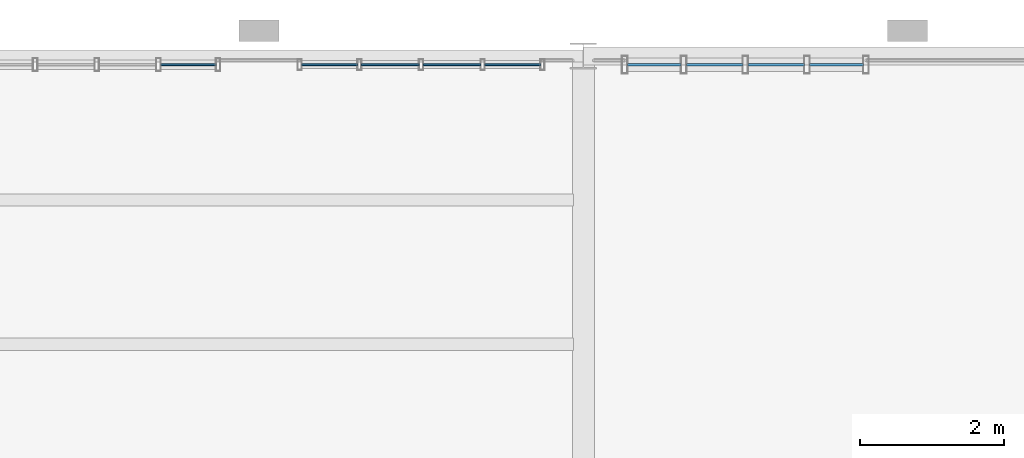
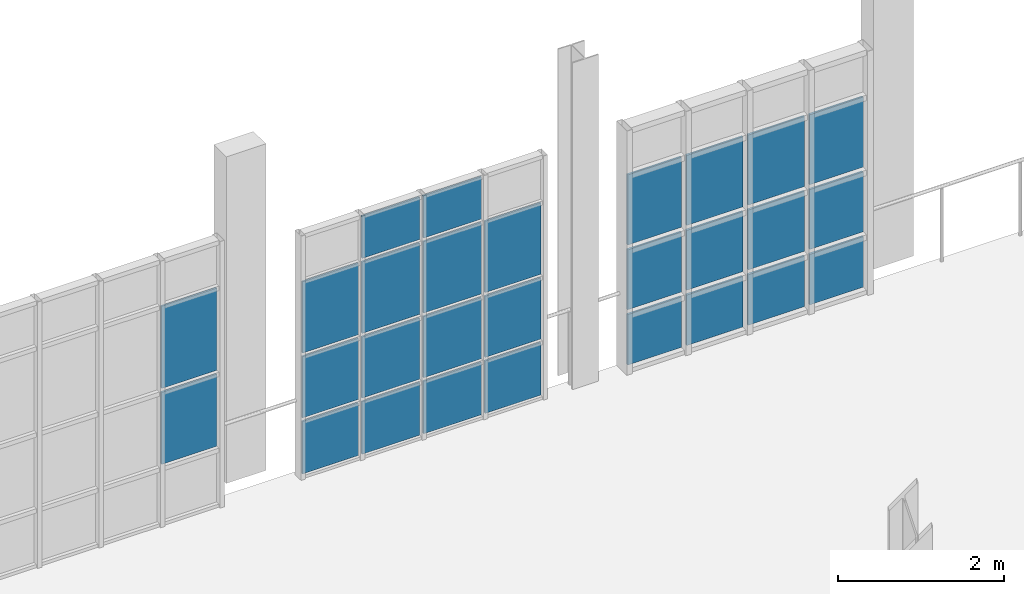
# One storey, part 98 of 118: 28 plates, 3 elements without a shape of their own.
"""IFC4 building model written with IfcOpenShell, lengths in metres."""

from ifc_helpers import new_model, si_unit, direction, frame, origin, origin_2d, place, context, subcontext, project, spatial, rectangle, extrude, material, layer, layer_set, type_object, element, aggregate, save


model = new_model("IFC4")

# Units and contexts
model_context = context("Model", 3, precision=1e-05, world=origin(), true_north=direction((0.0, 1.0)))
body_context = subcontext(model_context, "Body", "Model", "MODEL_VIEW")
ifc_project = project(units=[si_unit("LENGTHUNIT", "METRE"), si_unit("AREAUNIT", "SQUARE_METRE"), si_unit("VOLUMEUNIT", "CUBIC_METRE"), si_unit("PLANEANGLEUNIT", "RADIAN"), si_unit("MASSUNIT", "GRAM", prefix="KILO"), si_unit("THERMODYNAMICTEMPERATUREUNIT", "KELVIN"), si_unit("POWERUNIT", "WATT")], contexts=[model_context])

# Site, building, storey
site_placement = place(None, origin())
site = spatial("IfcSite", under=ifc_project, at=site_placement, CompositionType="ELEMENT")
building_placement = place(site_placement, origin())
building = spatial("IfcBuilding", under=site, at=building_placement, Name="Zelmaris Science Centre", CompositionType="ELEMENT")
storey_placement = place(building_placement, frame((0.0, 0.0, 15.60009765625)))
storey = spatial("IfcBuildingStorey", under=building, at=storey_placement, Name="L03", CompositionType="ELEMENT", Elevation=15.60009765625)

# Curtain wall, plates
ifc_material_1 = material(Name="Anodised architectural aluminium 6063-T6", Category="aluminium")
ifc_layer_1 = layer(ifc_material_1, 0.18994140625, Name="Anodised architectural aluminium 6063-T6")
ifc_layer_set_1 = layer_set([ifc_layer_1], Name="Anodised architectural aluminium 6063-T6")
curtain_wall_type_1 = type_object("IfcCurtainWallType", Name="Curtain Wall CW-01", PredefinedType="USERDEFINED", material=ifc_layer_set_1)
curtain_wall_1_placement = place(storey_placement, origin())
curtain_wall_1 = element("IfcCurtainWall", 1, at=curtain_wall_1_placement, inside=storey, type_object=curtain_wall_type_1, Name="L03 Unitised curtain wall 289", ObjectType="GLAZED CURTAIN WALL", PredefinedType="USERDEFINED")
ifc_material_2 = material(Name="Laminated hurricane-rated low-E insulated glazing", Category="glass")
ifc_layer_2 = layer(ifc_material_2, 0.031982421875, Name="Laminated hurricane-rated low-E insulated glazing")
ifc_layer_set_2 = layer_set([ifc_layer_2], Name="Laminated hurricane-rated low-E insulated glazing")
plate_type_1 = type_object("IfcPlateType", Name="Curtain Glazing Panel CWP-1 32mm", PredefinedType="CURTAIN_PANEL", material=ifc_layer_set_2)
plate_1_placement = place(storey_placement, frame((99.985595703125, 87.8798828125, 0.05712890625), z_axis=(0.0, 0.0, 1.0), x_axis=(1.0, 0.0, 0.0)))
plate_1 = element("IfcPlate", 2, at=plate_1_placement, type_object=plate_type_1, Name="CW-01 panel 1.1", PredefinedType="CURTAIN_PANEL", context=body_context, shape_type="SweptSolid", body=[
    extrude(rectangle(XDim=0.7470703125, YDim=0.031982421875, at=origin_2d()), origin(), (0.0, 0.0, 1.0), 0.741943359375),
])
plate_2_placement = place(storey_placement, frame((99.985595703125, 87.8798828125, 0.870849609375), z_axis=(0.0, 0.0, 1.0), x_axis=(1.0, 0.0, 0.0)))
plate_2 = element("IfcPlate", 3, at=plate_2_placement, type_object=plate_type_1, Name="CW-01 panel 1.2", PredefinedType="CURTAIN_PANEL", context=body_context, shape_type="SweptSolid", body=[
    extrude(rectangle(XDim=0.7470703125, YDim=0.031982421875, at=origin_2d()), origin(), (0.0, 0.0, 1.0), 0.87939453125),
])
plate_3_placement = place(storey_placement, frame((99.985595703125, 87.8798828125, 1.822265625), z_axis=(0.0, 0.0, 1.0), x_axis=(1.0, 0.0, 0.0)))
plate_3 = element("IfcPlate", 4, at=plate_3_placement, type_object=plate_type_1, Name="CW-01 panel 1.3", PredefinedType="CURTAIN_PANEL", context=body_context, shape_type="SweptSolid", body=[
    extrude(rectangle(XDim=0.7470703125, YDim=0.031982421875, at=origin_2d()), origin(), (0.0, 0.0, 1.0), 1.029541015625),
])
plate_4_placement = place(storey_placement, frame((100.822509765625, 87.8798828125, 0.05712890625), z_axis=(0.0, 0.0, 1.0), x_axis=(1.0, 0.0, 0.0)))
plate_4 = element("IfcPlate", 5, at=plate_4_placement, type_object=plate_type_1, Name="CW-01 panel 2.1", PredefinedType="CURTAIN_PANEL", context=body_context, shape_type="SweptSolid", body=[
    extrude(rectangle(XDim=0.782958984375, YDim=0.031982421875, at=origin_2d()), origin(), (0.0, 0.0, 1.0), 0.741943359375),
])
plate_5_placement = place(storey_placement, frame((100.822509765625, 87.8798828125, 0.870849609375), z_axis=(0.0, 0.0, 1.0), x_axis=(1.0, 0.0, 0.0)))
plate_5 = element("IfcPlate", 6, at=plate_5_placement, type_object=plate_type_1, Name="CW-01 panel 2.2", PredefinedType="CURTAIN_PANEL", context=body_context, shape_type="SweptSolid", body=[
    extrude(rectangle(XDim=0.782958984375, YDim=0.031982421875, at=origin_2d()), origin(), (0.0, 0.0, 1.0), 0.87939453125),
])
plate_6_placement = place(storey_placement, frame((100.822509765625, 87.8798828125, 1.822265625), z_axis=(0.0, 0.0, 1.0), x_axis=(1.0, 0.0, 0.0)))
plate_6 = element("IfcPlate", 7, at=plate_6_placement, type_object=plate_type_1, Name="CW-01 panel 2.3", PredefinedType="CURTAIN_PANEL", context=body_context, shape_type="SweptSolid", body=[
    extrude(rectangle(XDim=0.782958984375, YDim=0.031982421875, at=origin_2d()), origin(), (0.0, 0.0, 1.0), 1.029541015625),
])
plate_7_placement = place(storey_placement, frame((101.677490234375, 87.8798828125, 0.05712890625), z_axis=(0.0, 0.0, 1.0), x_axis=(1.0, 0.0, 0.0)))
plate_7 = element("IfcPlate", 8, at=plate_7_placement, type_object=plate_type_1, Name="CW-01 panel 3.1", PredefinedType="CURTAIN_PANEL", context=body_context, shape_type="SweptSolid", body=[
    extrude(rectangle(XDim=0.782958984375, YDim=0.031982421875, at=origin_2d()), origin(), (0.0, 0.0, 1.0), 0.741943359375),
])
plate_8_placement = place(storey_placement, frame((101.677490234375, 87.8798828125, 0.870849609375), z_axis=(0.0, 0.0, 1.0), x_axis=(1.0, 0.0, 0.0)))
plate_8 = element("IfcPlate", 9, at=plate_8_placement, type_object=plate_type_1, Name="CW-01 panel 3.2", PredefinedType="CURTAIN_PANEL", context=body_context, shape_type="SweptSolid", body=[
    extrude(rectangle(XDim=0.782958984375, YDim=0.031982421875, at=origin_2d()), origin(), (0.0, 0.0, 1.0), 0.87939453125),
])
plate_9_placement = place(storey_placement, frame((101.677490234375, 87.8798828125, 1.822265625), z_axis=(0.0, 0.0, 1.0), x_axis=(1.0, 0.0, 0.0)))
plate_9 = element("IfcPlate", 10, at=plate_9_placement, type_object=plate_type_1, Name="CW-01 panel 3.3", PredefinedType="CURTAIN_PANEL", context=body_context, shape_type="SweptSolid", body=[
    extrude(rectangle(XDim=0.782958984375, YDim=0.031982421875, at=origin_2d()), origin(), (0.0, 0.0, 1.0), 1.029541015625),
])
plate_10_placement = place(storey_placement, frame((102.514404296875, 87.8798828125, 0.05712890625), z_axis=(0.0, 0.0, 1.0), x_axis=(1.0, 0.0, 0.0)))
plate_10 = element("IfcPlate", 11, at=plate_10_placement, type_object=plate_type_1, Name="CW-01 panel 4.1", PredefinedType="CURTAIN_PANEL", context=body_context, shape_type="SweptSolid", body=[
    extrude(rectangle(XDim=0.7470703125, YDim=0.031982421875, at=origin_2d()), origin(), (0.0, 0.0, 1.0), 0.741943359375),
])
plate_11_placement = place(storey_placement, frame((102.514404296875, 87.8798828125, 0.870849609375), z_axis=(0.0, 0.0, 1.0), x_axis=(1.0, 0.0, 0.0)))
plate_11 = element("IfcPlate", 12, at=plate_11_placement, type_object=plate_type_1, Name="CW-01 panel 4.2", PredefinedType="CURTAIN_PANEL", context=body_context, shape_type="SweptSolid", body=[
    extrude(rectangle(XDim=0.7470703125, YDim=0.031982421875, at=origin_2d()), origin(), (0.0, 0.0, 1.0), 0.87939453125),
])
plate_12_placement = place(storey_placement, frame((102.514404296875, 87.8798828125, 1.822265625), z_axis=(0.0, 0.0, 1.0), x_axis=(1.0, 0.0, 0.0)))
plate_12 = element("IfcPlate", 13, at=plate_12_placement, type_object=plate_type_1, Name="CW-01 panel 4.3", PredefinedType="CURTAIN_PANEL", context=body_context, shape_type="SweptSolid", body=[
    extrude(rectangle(XDim=0.7470703125, YDim=0.031982421875, at=origin_2d()), origin(), (0.0, 0.0, 1.0), 1.029541015625),
])
aggregate(curtain_wall_1, [plate_1, plate_2, plate_3, plate_4, plate_5, plate_6, plate_7, plate_8, plate_9, plate_10, plate_11, plate_12])

ifc_layer_3 = layer(ifc_material_1, 0.2099609375, Name="Anodised architectural aluminium 6063-T6")
ifc_layer_set_3 = layer_set([ifc_layer_3], Name="Anodised architectural aluminium 6063-T6")
curtain_wall_type_2 = type_object("IfcCurtainWallType", Name="Curtain Wall CW-03", PredefinedType="USERDEFINED", material=ifc_layer_set_3)
curtain_wall_2_placement = place(storey_placement, origin())
curtain_wall_2 = element("IfcCurtainWall", 14, at=curtain_wall_2_placement, inside=storey, type_object=curtain_wall_type_2, Name="L03 Unitised curtain wall 287", ObjectType="GLAZED CURTAIN WALL", PredefinedType="USERDEFINED")
ifc_layer_4 = layer(ifc_material_2, 0.02587890625, Name="Laminated hurricane-rated low-E insulated glazing")
ifc_layer_set_4 = layer_set([ifc_layer_4], Name="Laminated hurricane-rated low-E insulated glazing")
plate_type_2 = type_object("IfcPlateType", Name="Curtain Glazing Panel CWP-3 26mm", PredefinedType="CURTAIN_PANEL", material=ifc_layer_set_4)
plate_13_placement = place(storey_placement, frame((93.518310546875, 87.8798828125, 0.86328125), z_axis=(0.0, 0.0, 1.0), x_axis=(1.0, 0.0, 0.0)))
plate_13 = element("IfcPlate", 15, at=plate_13_placement, type_object=plate_type_2, Name="CW-03 panel 4.2", PredefinedType="CURTAIN_PANEL", context=body_context, shape_type="SweptSolid", body=[
    extrude(rectangle(XDim=0.76953125, YDim=0.02587890625, at=origin_2d()), origin(), (0.0, 0.0, 1.0), 1.05859375),
])
plate_14_placement = place(storey_placement, frame((93.518310546875, 87.8798828125, 1.97900390625), z_axis=(0.0, 0.0, 1.0), x_axis=(1.0, 0.0, 0.0)))
plate_14 = element("IfcPlate", 16, at=plate_14_placement, type_object=plate_type_2, Name="CW-03 panel 4.3", PredefinedType="CURTAIN_PANEL", context=body_context, shape_type="SweptSolid", body=[
    extrude(rectangle(XDim=0.76953125, YDim=0.02587890625, at=origin_2d()), origin(), (0.0, 0.0, 1.0), 1.20849609375),
])
aggregate(curtain_wall_2, [plate_13, plate_14])

ifc_layer_5 = layer(ifc_material_1, 0.219970703125, Name="Anodised architectural aluminium 6063-T6")
ifc_layer_set_5 = layer_set([ifc_layer_5], Name="Anodised architectural aluminium 6063-T6")
curtain_wall_type_3 = type_object("IfcCurtainWallType", Name="Curtain Wall CW-04", PredefinedType="USERDEFINED", material=ifc_layer_set_5)
curtain_wall_3_placement = place(storey_placement, origin())
curtain_wall_3 = element("IfcCurtainWall", 17, at=curtain_wall_3_placement, inside=storey, type_object=curtain_wall_type_3, Name="L03 Unitised curtain wall 288", ObjectType="GLAZED CURTAIN WALL", PredefinedType="USERDEFINED")
ifc_layer_6 = layer(ifc_material_2, 0.02392578125, Name="Laminated hurricane-rated low-E insulated glazing")
ifc_layer_set_6 = layer_set([ifc_layer_6], Name="Laminated hurricane-rated low-E insulated glazing")
plate_type_3 = type_object("IfcPlateType", Name="Curtain Glazing Panel CWP-4 24mm", PredefinedType="CURTAIN_PANEL", material=ifc_layer_set_6)
plate_15_placement = place(storey_placement, frame((95.48046875, 87.8798828125, 0.036865234375), z_axis=(0.0, 0.0, 1.0), x_axis=(1.0, 0.0, 0.0)))
plate_15 = element("IfcPlate", 18, at=plate_15_placement, type_object=plate_type_3, Name="CW-04 panel 1.1", PredefinedType="CURTAIN_PANEL", context=body_context, shape_type="SweptSolid", body=[
    extrude(rectangle(XDim=0.777099609375, YDim=0.02392578125, at=origin_2d()), origin(), (0.0, 0.0, 1.0), 0.77197265625),
])
plate_16_placement = place(storey_placement, frame((95.48046875, 87.8798828125, 0.86083984375), z_axis=(0.0, 0.0, 1.0), x_axis=(1.0, 0.0, 0.0)))
plate_16 = element("IfcPlate", 19, at=plate_16_placement, type_object=plate_type_3, Name="CW-04 panel 1.2", PredefinedType="CURTAIN_PANEL", context=body_context, shape_type="SweptSolid", body=[
    extrude(rectangle(XDim=0.777099609375, YDim=0.02392578125, at=origin_2d()), origin(), (0.0, 0.0, 1.0), 0.8994140625),
])
plate_17_placement = place(storey_placement, frame((95.48046875, 87.8798828125, 1.8125), z_axis=(0.0, 0.0, 1.0), x_axis=(1.0, 0.0, 0.0)))
plate_17 = element("IfcPlate", 20, at=plate_17_placement, type_object=plate_type_3, Name="CW-04 panel 1.3", PredefinedType="CURTAIN_PANEL", context=body_context, shape_type="SweptSolid", body=[
    extrude(rectangle(XDim=0.777099609375, YDim=0.02392578125, at=origin_2d()), origin(), (0.0, 0.0, 1.0), 1.049560546875),
])
plate_18_placement = place(storey_placement, frame((96.322509765625, 87.8798828125, 0.036865234375), z_axis=(0.0, 0.0, 1.0), x_axis=(1.0, 0.0, 0.0)))
plate_18 = element("IfcPlate", 21, at=plate_18_placement, type_object=plate_type_3, Name="CW-04 panel 2.1", PredefinedType="CURTAIN_PANEL", context=body_context, shape_type="SweptSolid", body=[
    extrude(rectangle(XDim=0.802978515625, YDim=0.02392578125, at=origin_2d()), origin(), (0.0, 0.0, 1.0), 0.77197265625),
])
plate_19_placement = place(storey_placement, frame((96.322509765625, 87.8798828125, 0.86083984375), z_axis=(0.0, 0.0, 1.0), x_axis=(1.0, 0.0, 0.0)))
plate_19 = element("IfcPlate", 22, at=plate_19_placement, type_object=plate_type_3, Name="CW-04 panel 2.2", PredefinedType="CURTAIN_PANEL", context=body_context, shape_type="SweptSolid", body=[
    extrude(rectangle(XDim=0.802978515625, YDim=0.02392578125, at=origin_2d()), origin(), (0.0, 0.0, 1.0), 0.8994140625),
])
plate_20_placement = place(storey_placement, frame((96.322509765625, 87.8798828125, 1.8125), z_axis=(0.0, 0.0, 1.0), x_axis=(1.0, 0.0, 0.0)))
plate_20 = element("IfcPlate", 23, at=plate_20_placement, type_object=plate_type_3, Name="CW-04 panel 2.3", PredefinedType="CURTAIN_PANEL", context=body_context, shape_type="SweptSolid", body=[
    extrude(rectangle(XDim=0.802978515625, YDim=0.02392578125, at=origin_2d()), origin(), (0.0, 0.0, 1.0), 1.049560546875),
])
plate_21_placement = place(storey_placement, frame((96.322509765625, 87.8798828125, 2.913818359375), z_axis=(0.0, 0.0, 1.0), x_axis=(1.0, 0.0, 0.0)))
plate_21 = element("IfcPlate", 24, at=plate_21_placement, type_object=plate_type_3, Name="CW-04 panel 2.4", PredefinedType="CURTAIN_PANEL", context=body_context, shape_type="SweptSolid", body=[
    extrude(rectangle(XDim=0.802978515625, YDim=0.02392578125, at=origin_2d()), origin(), (0.0, 0.0, 1.0), 0.6220703125),
])
plate_22_placement = place(storey_placement, frame((97.177490234375, 87.8798828125, 0.036865234375), z_axis=(0.0, 0.0, 1.0), x_axis=(1.0, 0.0, 0.0)))
plate_22 = element("IfcPlate", 25, at=plate_22_placement, type_object=plate_type_3, Name="CW-04 panel 3.1", PredefinedType="CURTAIN_PANEL", context=body_context, shape_type="SweptSolid", body=[
    extrude(rectangle(XDim=0.802978515625, YDim=0.02392578125, at=origin_2d()), origin(), (0.0, 0.0, 1.0), 0.77197265625),
])
plate_23_placement = place(storey_placement, frame((97.177490234375, 87.8798828125, 0.86083984375), z_axis=(0.0, 0.0, 1.0), x_axis=(1.0, 0.0, 0.0)))
plate_23 = element("IfcPlate", 26, at=plate_23_placement, type_object=plate_type_3, Name="CW-04 panel 3.2", PredefinedType="CURTAIN_PANEL", context=body_context, shape_type="SweptSolid", body=[
    extrude(rectangle(XDim=0.802978515625, YDim=0.02392578125, at=origin_2d()), origin(), (0.0, 0.0, 1.0), 0.8994140625),
])
plate_24_placement = place(storey_placement, frame((97.177490234375, 87.8798828125, 1.8125), z_axis=(0.0, 0.0, 1.0), x_axis=(1.0, 0.0, 0.0)))
plate_24 = element("IfcPlate", 27, at=plate_24_placement, type_object=plate_type_3, Name="CW-04 panel 3.3", PredefinedType="CURTAIN_PANEL", context=body_context, shape_type="SweptSolid", body=[
    extrude(rectangle(XDim=0.802978515625, YDim=0.02392578125, at=origin_2d()), origin(), (0.0, 0.0, 1.0), 1.049560546875),
])
plate_25_placement = place(storey_placement, frame((97.177490234375, 87.8798828125, 2.913818359375), z_axis=(0.0, 0.0, 1.0), x_axis=(1.0, 0.0, 0.0)))
plate_25 = element("IfcPlate", 28, at=plate_25_placement, type_object=plate_type_3, Name="CW-04 panel 3.4", PredefinedType="CURTAIN_PANEL", context=body_context, shape_type="SweptSolid", body=[
    extrude(rectangle(XDim=0.802978515625, YDim=0.02392578125, at=origin_2d()), origin(), (0.0, 0.0, 1.0), 0.6220703125),
])
plate_26_placement = place(storey_placement, frame((98.01953125, 87.8798828125, 0.036865234375), z_axis=(0.0, 0.0, 1.0), x_axis=(1.0, 0.0, 0.0)))
plate_26 = element("IfcPlate", 29, at=plate_26_placement, type_object=plate_type_3, Name="CW-04 panel 4.1", PredefinedType="CURTAIN_PANEL", context=body_context, shape_type="SweptSolid", body=[
    extrude(rectangle(XDim=0.777099609375, YDim=0.02392578125, at=origin_2d()), origin(), (0.0, 0.0, 1.0), 0.77197265625),
])
plate_27_placement = place(storey_placement, frame((98.01953125, 87.8798828125, 0.86083984375), z_axis=(0.0, 0.0, 1.0), x_axis=(1.0, 0.0, 0.0)))
plate_27 = element("IfcPlate", 30, at=plate_27_placement, type_object=plate_type_3, Name="CW-04 panel 4.2", PredefinedType="CURTAIN_PANEL", context=body_context, shape_type="SweptSolid", body=[
    extrude(rectangle(XDim=0.777099609375, YDim=0.02392578125, at=origin_2d()), origin(), (0.0, 0.0, 1.0), 0.8994140625),
])
plate_28_placement = place(storey_placement, frame((98.01953125, 87.8798828125, 1.8125), z_axis=(0.0, 0.0, 1.0), x_axis=(1.0, 0.0, 0.0)))
plate_28 = element("IfcPlate", 31, at=plate_28_placement, type_object=plate_type_3, Name="CW-04 panel 4.3", PredefinedType="CURTAIN_PANEL", context=body_context, shape_type="SweptSolid", body=[
    extrude(rectangle(XDim=0.777099609375, YDim=0.02392578125, at=origin_2d()), origin(), (0.0, 0.0, 1.0), 1.049560546875),
])
aggregate(curtain_wall_3, [plate_15, plate_16, plate_17, plate_18, plate_19, plate_20, plate_21, plate_22, plate_23, plate_24, plate_25, plate_26, plate_27, plate_28])

save(model, "model.ifc")
